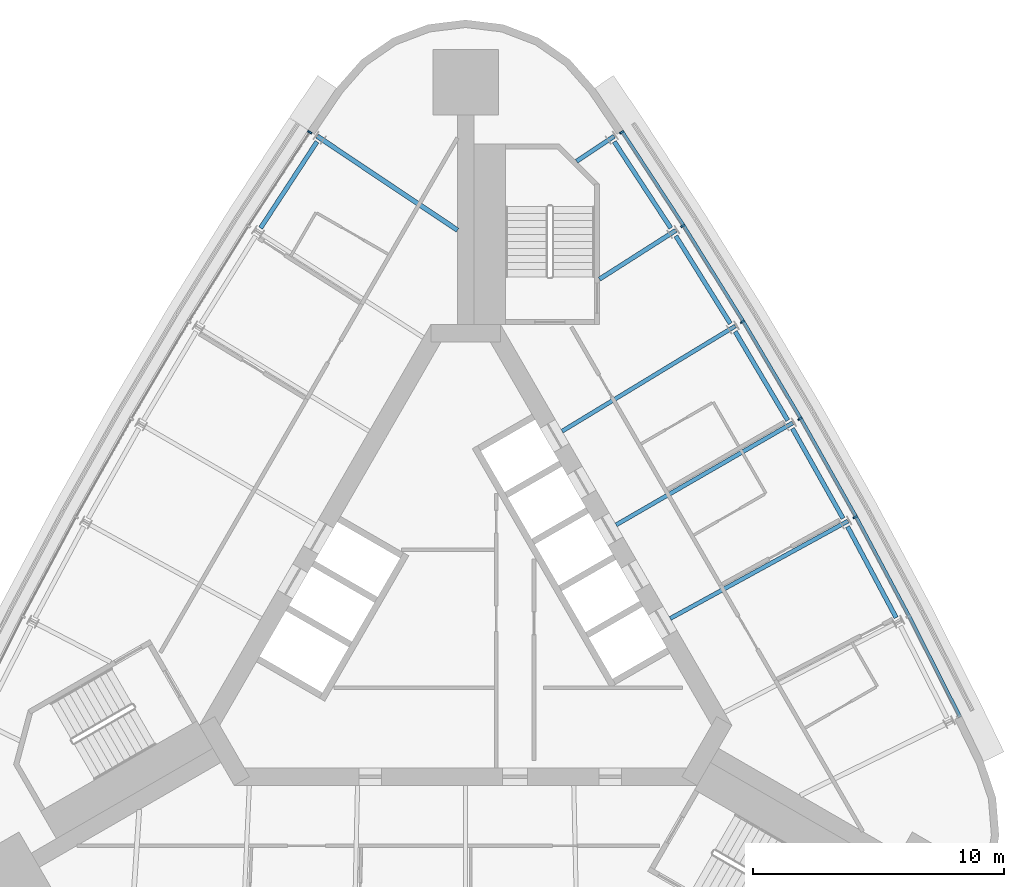
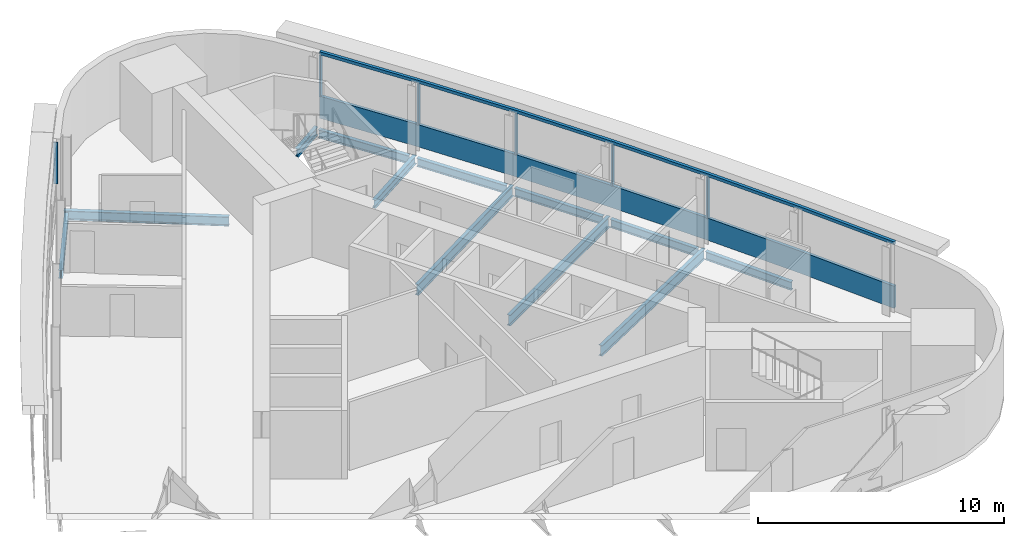
# One storey, part 8 of 15: 12 beams, 8 members, 2 elements without a shape of their own.
"""IFC4 building model written with IfcOpenShell, lengths in metres."""

from ifc_helpers import new_model, si_unit, direction, frame, origin, origin_2d, place, context, subcontext, project, spatial, polyline, rectangle, i_section, outline, extrude, material, material_profile, profile_set, type_object, element, aggregate, save


model = new_model("IFC4")

# Units and contexts
model_context = context("Model", 3, precision=1e-05, world=origin(), true_north=direction((0.0, 1.0)))
body_context = subcontext(model_context, "Body", "Model", "MODEL_VIEW")
ifc_project = project(units=[si_unit("LENGTHUNIT", "METRE"), si_unit("AREAUNIT", "SQUARE_METRE"), si_unit("VOLUMEUNIT", "CUBIC_METRE"), si_unit("PLANEANGLEUNIT", "RADIAN"), si_unit("MASSUNIT", "GRAM", prefix="KILO")], contexts=[model_context])

# Site, building, storey
site_placement = place(None, origin())
site = spatial("IfcSite", under=ifc_project, at=site_placement, CompositionType="ELEMENT")
building_placement = place(site_placement, origin())
building = spatial("IfcBuilding", under=site, at=building_placement, Name="Noor Cloister Tower", CompositionType="ELEMENT")
storey_placement = place(building_placement, frame((0.0, 0.0, 225.60009765625)))
storey = spatial("IfcBuildingStorey", under=building, at=storey_placement, Name="L58", CompositionType="ELEMENT", Elevation=225.60009765625)

# Curtain wall, member
ifc_material_1 = material(Name="Aluminium 6063-T6 anodised", Category="aluminium")
curtain_wall_type = type_object("IfcCurtainWallType", Name="Ribbon curtain wall, upper tower CW5", PredefinedType="NOTDEFINED", material=ifc_material_1)
curtain_wall_1_placement = place(storey_placement, origin())
curtain_wall_1 = element("IfcCurtainWall", 1, at=curtain_wall_1_placement, inside=storey, type_object=curtain_wall_type, Name="CW5 L58 NE run 4", PredefinedType="NOTDEFINED")
ifc_material_2 = material(Name="Aluminium 6063-T6 anodised", Category="aluminium")
member_type_1 = type_object("IfcMemberType", Name="Head transom CW5 150", PredefinedType="USERDEFINED", material=ifc_material_2)
member_1_placement = place(storey_placement, frame((0.0, 0.0, 3.14990234375)))
member_1 = element("IfcMember", 2, at=member_1_placement, type_object=member_type_1, Name="CW5 head transom", ObjectType="TRANSOM", PredefinedType="USERDEFINED", context=body_context, shape_type="SweptSolid", body=[
    extrude(outline(polyline([(19.772216796875, -4.16162109375), (17.7412109375, -0.14599609375), (15.621826171875, 3.823486328125), (13.415283203125, 7.745361328125), (11.122314453125, 11.6171875), (8.744140625, 15.437255859375), (6.2822265625, 19.2041015625), (6.1650390625, 19.12744140625), (8.626220703125, 15.362060546875), (11.00244140625, 11.54443359375), (13.2939453125, 7.67529296875), (15.4990234375, 3.75634765625), (17.616943359375, -0.210693359375), (19.647216796875, -4.224609375), (19.772216796875, -4.16162109375)])), origin(), (0.0, 0.0, 1.0), 0.14990234375),
])

curtain_wall_2_placement = place(storey_placement, origin())
curtain_wall_2 = element("IfcCurtainWall", 3, at=curtain_wall_2_placement, inside=storey, type_object=curtain_wall_type, Name="CW5 L58 NW run 1", PredefinedType="NOTDEFINED")
ifc_material_3 = material(Name="Aluminium 6063-T6 anodised", Category="aluminium")
ifc_material_profile_1 = material_profile(ifc_material_3, rectangle(XDim=0.179931640625, YDim=0.070068359375, at=origin_2d()), Name="180 x 70 mullion")
ifc_profile_set_1 = profile_set([ifc_material_profile_1], Name="Aluminium 6063-T6 anodised")
member_type_2 = type_object("IfcMemberType", Name="Mullion CW5 70 x 180", PredefinedType="MULLION", material=ifc_profile_set_1)
member_2_placement = place(storey_placement, frame((-6.217529296875, 19.119873046875, 1.099853515625), z_axis=(0.0, 0.0, 1.0), x_axis=(0.837047263939, -0.547130585813, 0.0)))
member_2 = element("IfcMember", 4, at=member_2_placement, type_object=member_type_2, Name="CW5 mullion 1", PredefinedType="MULLION", context=body_context, shape_type="SweptSolid", body=[
    extrude(rectangle(XDim=0.179931640625, YDim=0.070068359375, at=origin_2d()), origin(), (0.0, 0.0, 1.0), 2.050048828125),
])
aggregate(curtain_wall_2, [member_2])

# Member
member_3_placement = place(storey_placement, frame((15.5341796875, 3.775390625, 1.099853515625), z_axis=(0.0, 0.0, 1.0), x_axis=(-0.8768790948, -0.480710987083, 0.0)))
member_3 = element("IfcMember", 5, at=member_3_placement, type_object=member_type_2, Name="CW5 mullion 3", PredefinedType="MULLION", context=body_context, shape_type="SweptSolid", body=[
    extrude(rectangle(XDim=0.179931640625, YDim=0.070068359375, at=origin_2d()), origin(), (0.0, 0.0, 1.0), 2.050048828125),
])

member_4_placement = place(storey_placement, frame((13.32861328125, 7.6953125, 1.099853515625), z_axis=(0.0, 0.0, 1.0), x_axis=(-0.866025403784, -0.5, 0.0)))
member_4 = element("IfcMember", 6, at=member_4_placement, type_object=member_type_2, Name="CW5 mullion 4", PredefinedType="MULLION", context=body_context, shape_type="SweptSolid", body=[
    extrude(rectangle(XDim=0.179931640625, YDim=0.070068359375, at=origin_2d()), origin(), (0.0, 0.0, 1.0), 2.050048828125),
])

member_5_placement = place(storey_placement, frame((11.03662109375, 11.565185546875, 1.099853515625), z_axis=(0.0, 0.0, 1.0), x_axis=(-0.854747474092, -0.519044078603, 0.0)))
member_5 = element("IfcMember", 7, at=member_5_placement, type_object=member_type_2, Name="CW5 mullion 5", PredefinedType="MULLION", context=body_context, shape_type="SweptSolid", body=[
    extrude(rectangle(XDim=0.179931640625, YDim=0.070068359375, at=origin_2d()), origin(), (0.0, 0.0, 1.0), 2.050048828125),
])

member_6_placement = place(storey_placement, frame((8.659912109375, 15.383544921875, 1.099853515625), z_axis=(0.0, 0.0, 1.0), x_axis=(-0.843050821041, -0.537833908509, 0.0)))
member_6 = element("IfcMember", 8, at=member_6_placement, type_object=member_type_2, Name="CW5 mullion 6", PredefinedType="MULLION", context=body_context, shape_type="SweptSolid", body=[
    extrude(rectangle(XDim=0.179931640625, YDim=0.070068359375, at=origin_2d()), origin(), (0.0, 0.0, 1.0), 2.050048828125),
])

member_7_placement = place(storey_placement, frame((6.217529296875, 19.119873046875, 1.099853515625), z_axis=(0.0, 0.0, 1.0), x_axis=(-0.837047263939, -0.547130585813, 0.0)))
member_7 = element("IfcMember", 9, at=member_7_placement, type_object=member_type_2, Name="CW5 mullion 7", PredefinedType="MULLION", context=body_context, shape_type="SweptSolid", body=[
    extrude(rectangle(XDim=0.179931640625, YDim=0.070068359375, at=origin_2d()), origin(), (0.0, 0.0, 1.0), 2.050048828125),
])

# Beams
ifc_material_4 = material(Name="Steel ASTM A992 Gr 50", Category="steel")
ifc_material_profile_2 = material_profile(ifc_material_4, i_section(OverallWidth=0.177978515625, OverallDepth=0.406005859375, WebThickness=0.0078125, FlangeThickness=0.0126953125, FilletRadius=0.01025390625, at=origin_2d()), Name="W410x60")
ifc_profile_set_2 = profile_set([ifc_material_profile_2], Name="Steel ASTM A992 Gr 50")
beam_type_1 = type_object("IfcBeamType", Name="Radial beam W410x60", PredefinedType="BEAM", material=ifc_profile_set_2)
beam_1_placement = place(storey_placement, frame((8.378173828125, 15.203857421875, -0.403076171875), z_axis=(-0.843059267297, -0.537820668834, 0.0), x_axis=(0.537820668834, -0.843059267297, 0.0)))
element("IfcBeam", 10, at=beam_1_placement, inside=storey, type_object=beam_type_1, Name="Radial beam NE 06 L58", PredefinedType="BEAM", context=body_context, shape_type="SweptSolid", body=[
    extrude(i_section(OverallWidth=0.177978515625, OverallDepth=0.406005859375, WebThickness=0.0078125, FlangeThickness=0.0126953125, FilletRadius=0.01025390625, at=origin_2d()), origin(), (0.0, 0.0, 1.0), 3.60888671875),
])
beam_2_placement = place(storey_placement, frame((5.92138671875, 18.96240234375, -0.403076171875), z_axis=(-0.830940280815, -0.556361617762, 0.0), x_axis=(0.556361617762, -0.830940280815, 0.0)))
element("IfcBeam", 11, at=beam_2_placement, inside=storey, type_object=beam_type_1, Name="Radial beam NE 07 L58", PredefinedType="BEAM", context=body_context, shape_type="SweptSolid", body=[
    extrude(i_section(OverallWidth=0.177978515625, OverallDepth=0.406005859375, WebThickness=0.0078125, FlangeThickness=0.0126953125, FilletRadius=0.01025390625, at=origin_2d()), origin(), (0.0, 0.0, 1.0), 1.796142578125),
])
ifc_material_5 = material(Name="Steel ASTM A992 Gr 50", Category="steel")
ifc_material_profile_3 = material_profile(ifc_material_5, i_section(OverallWidth=0.19091796875, OverallDepth=0.45703125, WebThickness=0.009033203125, FlangeThickness=0.014404296875, FilletRadius=0.01025390625, at=origin_2d()), Name="W460x74")
ifc_profile_set_3 = profile_set([ifc_material_profile_3], Name="Steel ASTM A992 Gr 50")
beam_type_2 = type_object("IfcBeamType", Name="Radial beam W460x74", PredefinedType="BEAM", material=ifc_profile_set_3)
beam_3_placement = place(storey_placement, frame((-5.92138671875, 18.96240234375, -0.4287109375), z_axis=(0.83094443402, -0.556355414795, 0.0), x_axis=(0.556355414795, 0.83094443402, 0.0)))
element("IfcBeam", 12, at=beam_3_placement, inside=storey, type_object=beam_type_2, Name="Radial beam NW 01 L58", PredefinedType="BEAM", context=body_context, shape_type="SweptSolid", body=[
    extrude(i_section(OverallWidth=0.19091796875, OverallDepth=0.45703125, WebThickness=0.009033203125, FlangeThickness=0.014404296875, FilletRadius=0.01025390625, at=origin_2d()), origin(), (0.0, 0.0, 1.0), 6.735107421875),
])
ifc_material_6 = material(Name="Steel ASTM A992 Gr 50", Category="steel")
ifc_material_profile_4 = material_profile(ifc_material_6, i_section(OverallWidth=0.166015625, OverallDepth=0.528076171875, WebThickness=0.009765625, FlangeThickness=0.013671875, FilletRadius=0.0126953125, at=origin_2d()), Name="W530x74")
ifc_profile_set_4 = profile_set([ifc_material_profile_4], Name="Steel ASTM A992 Gr 50")
beam_type_3 = type_object("IfcBeamType", Name="Radial beam W530x74", PredefinedType="BEAM", material=ifc_profile_set_4)
beam_4_placement = place(storey_placement, frame((15.2412109375, 3.614990234375, -0.464111328125), z_axis=(-0.876874036138, -0.480720214623, 0.0), x_axis=(0.480720214623, -0.876874036138, 0.0)))
element("IfcBeam", 13, at=beam_4_placement, inside=storey, type_object=beam_type_3, Name="Radial beam NE 03 L58", PredefinedType="BEAM", context=body_context, shape_type="SweptSolid", body=[
    extrude(i_section(OverallWidth=0.166015625, OverallDepth=0.528076171875, WebThickness=0.009765625, FlangeThickness=0.013671875, FilletRadius=0.0126953125, at=origin_2d()), origin(), (0.0, 0.0, 1.0), 8.08056640625),
])
beam_5_placement = place(storey_placement, frame((13.039306640625, 7.5283203125, -0.464111328125), z_axis=(-0.866022026288, -0.50000584995, 0.0), x_axis=(0.50000584995, -0.866022026288, 0.0)))
element("IfcBeam", 14, at=beam_5_placement, inside=storey, type_object=beam_type_3, Name="Radial beam NE 04 L58", PredefinedType="BEAM", context=body_context, shape_type="SweptSolid", body=[
    extrude(i_section(OverallWidth=0.166015625, OverallDepth=0.528076171875, WebThickness=0.009765625, FlangeThickness=0.013671875, FilletRadius=0.0126953125, at=origin_2d()), origin(), (0.0, 0.0, 1.0), 8.12841796875),
])
beam_6_placement = place(storey_placement, frame((10.751220703125, 11.391845703125, -0.464111328125), z_axis=(-0.854748260186, -0.519042784084, 0.0), x_axis=(0.519042784084, -0.854748260186, 0.0)))
element("IfcBeam", 15, at=beam_6_placement, inside=storey, type_object=beam_type_3, Name="Radial beam NE 05 L58", PredefinedType="BEAM", context=body_context, shape_type="SweptSolid", body=[
    extrude(i_section(OverallWidth=0.166015625, OverallDepth=0.528076171875, WebThickness=0.009765625, FlangeThickness=0.013671875, FilletRadius=0.0126953125, at=origin_2d()), origin(), (0.0, 0.0, 1.0), 8.080322265625),
])

# Member
ifc_material_7 = material(Name="Aluminium 6063-T6 anodised", Category="aluminium")
member_type_3 = type_object("IfcMemberType", Name="Sill transom CW5 1100", PredefinedType="USERDEFINED", material=ifc_material_7)
member_8_placement = place(storey_placement, origin())
member_8 = element("IfcMember", 16, at=member_8_placement, type_object=member_type_3, Name="CW5 sill transom", ObjectType="TRANSOM", PredefinedType="USERDEFINED", context=body_context, shape_type="SweptSolid", body=[
    extrude(outline(polyline([(19.772216796875, -4.16162109375), (17.7412109375, -0.14599609375), (15.621826171875, 3.823486328125), (13.415283203125, 7.745361328125), (11.122314453125, 11.6171875), (8.744140625, 15.437255859375), (6.2822265625, 19.2041015625), (6.1650390625, 19.12744140625), (8.626220703125, 15.362060546875), (11.00244140625, 11.54443359375), (13.2939453125, 7.67529296875), (15.4990234375, 3.75634765625), (17.616943359375, -0.210693359375), (19.647216796875, -4.224609375), (19.772216796875, -4.16162109375)])), origin(), (0.0, 0.0, 1.0), 1.099853515625),
])

aggregate(curtain_wall_1, [member_3, member_4, member_5, member_6, member_7, member_8, member_1])

# Beams
ifc_material_8 = material(Name="Steel ASTM A992 Gr 50", Category="steel")
ifc_material_profile_5 = material_profile(ifc_material_8, i_section(OverallWidth=0.177978515625, OverallDepth=0.406005859375, WebThickness=0.0078125, FlangeThickness=0.0126953125, FilletRadius=0.01025390625, at=origin_2d()), Name="W410x60")
ifc_profile_set_5 = profile_set([ifc_material_profile_5], Name="Steel ASTM A992 Gr 50")
beam_type_4 = type_object("IfcBeamType", Name="Spandrel beam W410x60", PredefinedType="SPANDREL", material=ifc_profile_set_5)
beam_7_placement = place(storey_placement, frame((-5.92724609375, 18.741943359375, -0.403076171875), z_axis=(-0.547105481139, -0.837063672911, 0.0), x_axis=(0.837063672911, -0.547105481139, 0.0)))
element("IfcBeam", 17, at=beam_7_placement, inside=storey, type_object=beam_type_4, Name="Spandrel beam NW 01 L58", PredefinedType="SPANDREL", context=body_context, shape_type="SweptSolid", body=[
    extrude(i_section(OverallWidth=0.177978515625, OverallDepth=0.406005859375, WebThickness=0.0078125, FlangeThickness=0.0126953125, FilletRadius=0.01025390625, at=origin_2d()), origin(), (0.0, 0.0, 1.0), 4.11474609375),
])
beam_8_placement = place(storey_placement, frame((17.165283203125, -0.235107421875, -0.403076171875), z_axis=(-0.471000859452, 0.882132751005, 0.0), x_axis=(-0.882132751005, -0.471000859452, 0.0)))
element("IfcBeam", 18, at=beam_8_placement, inside=storey, type_object=beam_type_4, Name="Spandrel beam NE 02 L58", PredefinedType="SPANDREL", context=body_context, shape_type="SweptSolid", body=[
    extrude(i_section(OverallWidth=0.177978515625, OverallDepth=0.406005859375, WebThickness=0.0078125, FlangeThickness=0.0126953125, FilletRadius=0.01025390625, at=origin_2d()), origin(), (0.0, 0.0, 1.0), 4.114501953125),
])
for number, where, z_axis, x_axis, name in (
    (19, (15.048095703125, 3.7216796875, -0.403076171875), (-0.490396452129, 0.871499466288, 0.0), (-0.871499466288, -0.490396452129, 0.0), "Spandrel beam NE 03 L58"),
    (20, (12.84375, 7.630615234375, -0.403076171875), (-0.509548653359, 0.860441845716, 0.0), (-0.860441845716, -0.509548653359, 0.0), "Spandrel beam NE 04 L58"),
):
    element("IfcBeam", number, at=place(storey_placement, frame(where, z_axis=z_axis, x_axis=x_axis)), inside=storey, type_object=beam_type_4, Name=name, PredefinedType="SPANDREL", context=body_context, shape_type="SweptSolid", body=[
        extrude(i_section(OverallWidth=0.177978515625, OverallDepth=0.406005859375, WebThickness=0.0078125, FlangeThickness=0.0126953125, FilletRadius=0.01025390625, at=origin_2d()), origin(), (0.0, 0.0, 1.0), 4.11474609375),
    ])
beam_9_placement = place(storey_placement, frame((10.553466796875, 11.489990234375, -0.403076171875), z_axis=(-0.528440659826, 0.848970240375, 0.0), x_axis=(-0.848970240375, -0.528440659826, 0.0)))
element("IfcBeam", 21, at=beam_9_placement, inside=storey, type_object=beam_type_4, Name="Spandrel beam NE 05 L58", PredefinedType="SPANDREL", context=body_context, shape_type="SweptSolid", body=[
    extrude(i_section(OverallWidth=0.177978515625, OverallDepth=0.406005859375, WebThickness=0.0078125, FlangeThickness=0.0126953125, FilletRadius=0.01025390625, at=origin_2d()), origin(), (0.0, 0.0, 1.0), 4.114501953125),
])
beam_10_placement = place(storey_placement, frame((8.178466796875, 15.297607421875, -0.403076171875), z_axis=(-0.547105481139, 0.837063672911, 0.0), x_axis=(-0.837063672911, -0.547105481139, 0.0)))
element("IfcBeam", 22, at=beam_10_placement, inside=storey, type_object=beam_type_4, Name="Spandrel beam NE 06 L58", PredefinedType="SPANDREL", context=body_context, shape_type="SweptSolid", body=[
    extrude(i_section(OverallWidth=0.177978515625, OverallDepth=0.406005859375, WebThickness=0.0078125, FlangeThickness=0.0126953125, FilletRadius=0.01025390625, at=origin_2d()), origin(), (0.0, 0.0, 1.0), 4.11474609375),
])

save(model, "model.ifc")
